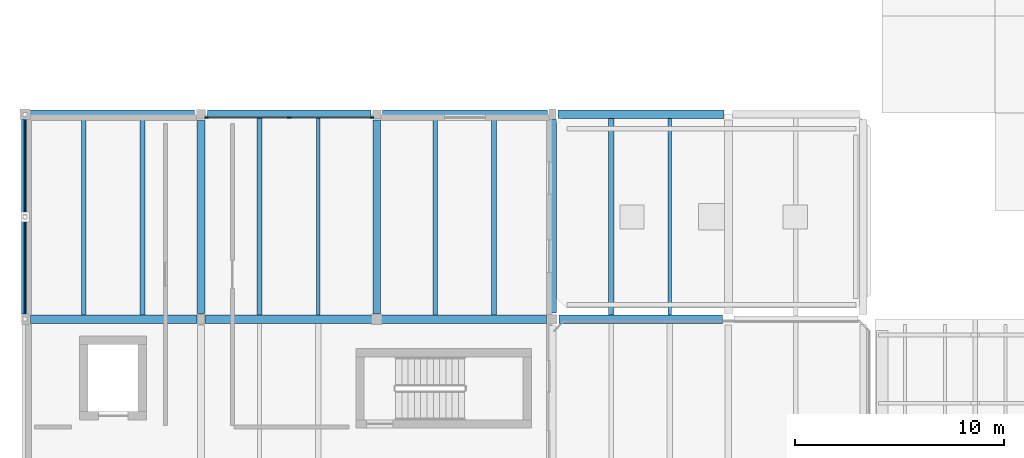
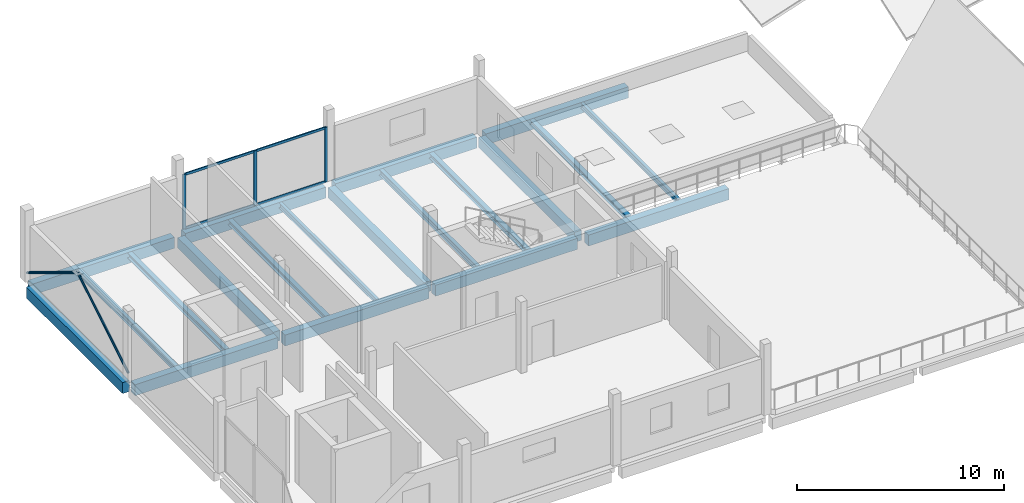
# One storey, part 4 of 35: 20 beams, 9 members, 1 element without a shape of its own.
"""IFC4 building model written with IfcOpenShell, lengths in metres."""

from ifc_helpers import new_model, si_unit, direction, frame, origin, origin_2d, place, context, subcontext, project, spatial, rectangle, hollow_circle, i_section, extrude, material, layer, layer_set, material_profile, profile_set, type_object, element, aggregate, save


model = new_model("IFC4")

# Units and contexts
model_context = context("Model", 3, precision=1e-05, world=origin(), true_north=direction((0.0, 1.0)))
body_context = subcontext(model_context, "Body", "Model", "MODEL_VIEW")
ifc_project = project(units=[si_unit("LENGTHUNIT", "METRE"), si_unit("AREAUNIT", "SQUARE_METRE"), si_unit("VOLUMEUNIT", "CUBIC_METRE"), si_unit("PLANEANGLEUNIT", "RADIAN"), si_unit("MASSUNIT", "GRAM", prefix="KILO")], contexts=[model_context])

# Site, building, storey
site_placement = place(None, origin())
site = spatial("IfcSite", under=ifc_project, at=site_placement, CompositionType="ELEMENT")
building_placement = place(site_placement, origin())
building = spatial("IfcBuilding", under=site, at=building_placement, Name="Birchvale Park Specialist Clinic", CompositionType="ELEMENT")
storey_placement = place(building_placement, frame((0.0, 0.0, 13.800048828125)))
storey = spatial("IfcBuildingStorey", under=building, at=storey_placement, Name="L03", CompositionType="ELEMENT", Elevation=13.800048828125)

# Beams
ifc_material_1 = material(Name="Concrete C40/50", Category="concrete")
ifc_material_profile_1 = material_profile(ifc_material_1, rectangle(XDim=0.3798828125, YDim=0.639892578125, at=origin_2d()), Name="RCB-380x640")
ifc_profile_set_1 = profile_set([ifc_material_profile_1], Name="Concrete C40/50")
beam_type_1 = type_object("IfcBeamType", Name="BM-EXT-BG5", PredefinedType="BEAM", material=ifc_profile_set_1)
beam_1_placement = place(storey_placement, frame((11.199951171875, 34.85009765625, -0.60009765625), z_axis=(0.0, 1.0, 0.0), x_axis=(-1.0, 0.0, 0.0)))
element("IfcBeam", 1, at=beam_1_placement, inside=storey, type_object=beam_type_1, Name="V2 L03 Y girder 23", PredefinedType="BEAM", context=body_context, shape_type="SweptSolid", body=[
    extrude(rectangle(XDim=0.3798828125, YDim=0.639892578125, at=origin_2d()), origin(), (0.0, 0.0, 1.0), 9.2998046875),
])
ifc_material_profile_2 = material_profile(ifc_material_1, rectangle(XDim=0.39990234375, YDim=0.64990234375, at=origin_2d()), Name="RCB-400x650")
ifc_profile_set_2 = profile_set([ifc_material_profile_2], Name="Concrete C40/50")
beam_type_2 = type_object("IfcBeamType", Name="BM-INT-BG4", PredefinedType="BEAM", material=ifc_profile_set_2)
beam_2_placement = place(storey_placement, frame((11.449951171875, 34.60009765625, -0.60498046875), z_axis=(1.0, 0.0, 0.0), x_axis=(0.0, 1.0, 0.0)))
element("IfcBeam", 2, at=beam_2_placement, inside=storey, type_object=beam_type_2, Name="V2 L03 X girder 11", PredefinedType="BEAM", context=body_context, shape_type="SweptSolid", body=[
    extrude(rectangle(XDim=0.39990234375, YDim=0.64990234375, at=origin_2d()), origin(), (0.0, 0.0, 1.0), 7.949951171875),
])
beam_3_placement = place(storey_placement, frame((19.800048828125, 34.60009765625, -0.60498046875), z_axis=(1.0, 0.0, 0.0), x_axis=(0.0, 1.0, 0.0)))
element("IfcBeam", 3, at=beam_3_placement, inside=storey, type_object=beam_type_2, Name="V2 L03 X girder 12", PredefinedType="BEAM", context=body_context, shape_type="SweptSolid", body=[
    extrude(rectangle(XDim=0.39990234375, YDim=0.64990234375, at=origin_2d()), origin(), (0.0, 0.0, 1.0), 8.02490234375),
])
beam_4_placement = place(storey_placement, frame((28.175048828125, 34.60009765625, -0.60498046875), z_axis=(1.0, 0.0, 0.0), x_axis=(0.0, 1.0, 0.0)))
element("IfcBeam", 4, at=beam_4_placement, inside=storey, type_object=beam_type_2, Name="V2 L03 X girder 13", PredefinedType="BEAM", context=body_context, shape_type="SweptSolid", body=[
    extrude(rectangle(XDim=0.39990234375, YDim=0.64990234375, at=origin_2d()), origin(), (0.0, 0.0, 1.0), 7.925048828125),
])
beam_5_placement = place(storey_placement, frame((36.699951171875, 34.60009765625, -0.635009765625), z_axis=(1.0, 0.0, 0.0), x_axis=(0.0, 1.0, 0.0)))
element("IfcBeam", 5, at=beam_5_placement, inside=storey, type_object=beam_type_2, Name="V2 L03 X girder 14", PredefinedType="BEAM", context=body_context, shape_type="SweptSolid", body=[
    extrude(rectangle(XDim=0.39990234375, YDim=0.64990234375, at=origin_2d()), origin(), (0.0, 0.0, 1.0), 7.824951171875),
])
beam_6_placement = place(storey_placement, frame((11.375, 44.39990234375, -0.60498046875), z_axis=(1.0, 0.0, 0.0), x_axis=(0.0, 1.0, 0.0)))
element("IfcBeam", 6, at=beam_6_placement, inside=storey, type_object=beam_type_2, Name="V2 L03 X girder 16", PredefinedType="BEAM", context=body_context, shape_type="SweptSolid", body=[
    extrude(rectangle(XDim=0.39990234375, YDim=0.64990234375, at=origin_2d()), origin(), (0.0, 0.0, 1.0), 7.925048828125),
])
beam_7_placement = place(storey_placement, frame((19.89990234375, 44.39990234375, -0.60498046875), z_axis=(1.0, 0.0, 0.0), x_axis=(0.0, 1.0, 0.0)))
element("IfcBeam", 7, at=beam_7_placement, inside=storey, type_object=beam_type_2, Name="V2 L03 X girder 17", PredefinedType="BEAM", context=body_context, shape_type="SweptSolid", body=[
    extrude(rectangle(XDim=0.39990234375, YDim=0.64990234375, at=origin_2d()), origin(), (0.0, 0.0, 1.0), 7.8251953125),
])
beam_8_placement = place(storey_placement, frame((28.27490234375, 44.39990234375, -0.60498046875), z_axis=(1.0, 0.0, 0.0), x_axis=(0.0, 1.0, 0.0)))
element("IfcBeam", 8, at=beam_8_placement, inside=storey, type_object=beam_type_2, Name="V2 L03 X girder 18", PredefinedType="BEAM", context=body_context, shape_type="SweptSolid", body=[
    extrude(rectangle(XDim=0.39990234375, YDim=0.64990234375, at=origin_2d()), origin(), (0.0, 0.0, 1.0), 7.875),
])
beam_9_placement = place(storey_placement, frame((36.64990234375, 44.39990234375, -0.60009765625), z_axis=(1.0, 0.0, 0.0), x_axis=(0.0, 1.0, 0.0)))
element("IfcBeam", 9, at=beam_9_placement, inside=storey, type_object=beam_type_2, Name="V2 L03 X girder 19", PredefinedType="BEAM", context=body_context, shape_type="SweptSolid", body=[
    extrude(rectangle(XDim=0.39990234375, YDim=0.64990234375, at=origin_2d()), origin(), (0.0, 0.0, 1.0), 7.9501953125),
])
ifc_material_profile_3 = material_profile(ifc_material_1, rectangle(XDim=0.3798828125, YDim=0.60009765625, at=origin_2d()), Name="RCB-380x600")
ifc_profile_set_3 = profile_set([ifc_material_profile_3], Name="Concrete C40/50")
beam_type_3 = type_object("IfcBeamType", Name="BM-INT-BG5", PredefinedType="BEAM", material=ifc_profile_set_3)
beam_10_placement = place(storey_placement, frame((19.60009765625, 34.875, -0.580078125), z_axis=(0.0, 1.0, 0.0), x_axis=(-1.0, 0.0, 0.0)))
element("IfcBeam", 10, at=beam_10_placement, inside=storey, type_object=beam_type_3, Name="V2 L03 Y girder 26", PredefinedType="BEAM", context=body_context, shape_type="SweptSolid", body=[
    extrude(rectangle(XDim=0.3798828125, YDim=0.60009765625, at=origin_2d()), origin(), (0.0, 0.0, 1.0), 9.22509765625),
])
beam_11_placement = place(storey_placement, frame((28.0, 34.85009765625, -0.580078125), z_axis=(0.0, 1.0, 0.0), x_axis=(-1.0, 0.0, 0.0)))
element("IfcBeam", 11, at=beam_11_placement, inside=storey, type_object=beam_type_3, Name="V2 L03 Y girder 28", PredefinedType="BEAM", context=body_context, shape_type="SweptSolid", body=[
    extrude(rectangle(XDim=0.3798828125, YDim=0.60009765625, at=origin_2d()), origin(), (0.0, 0.0, 1.0), 9.27490234375),
])
beam_12_placement = place(storey_placement, frame((36.39990234375, 34.89990234375, -0.580078125), z_axis=(0.0, 1.0, 0.0), x_axis=(-1.0, 0.0, 0.0)))
element("IfcBeam", 12, at=beam_12_placement, inside=storey, type_object=beam_type_3, Name="V2 L03 Y girder 31", PredefinedType="BEAM", context=body_context, shape_type="SweptSolid", body=[
    extrude(rectangle(XDim=0.3798828125, YDim=0.60009765625, at=origin_2d()), origin(), (0.0, 0.0, 1.0), 9.25),
])

# Curtain wall, members
ifc_material_2 = material(Name="Thermally broken anodised aluminium", Category="aluminium")
ifc_layer = layer(ifc_material_2, 0.195068359375)
ifc_layer_set = layer_set([ifc_layer], Name="Thermally broken anodised aluminium")
curtain_wall_type = type_object("IfcCurtainWallType", Name="CW-U2", PredefinedType="USERDEFINED", material=ifc_layer_set)
curtain_wall_placement = place(storey_placement, origin())
curtain_wall = element("IfcCurtainWall", 13, at=curtain_wall_placement, inside=storey, type_object=curtain_wall_type, Name="V2 L03 glazed curtain wall 120", ObjectType="UNITISED", PredefinedType="USERDEFINED")
ifc_material_profile_4 = material_profile(ifc_material_2, rectangle(XDim=0.06494140625, YDim=0.179931640625, at=origin_2d()), Name="CWM-65x180")
ifc_profile_set_4 = profile_set([ifc_material_profile_4], Name="Thermally broken anodised aluminium")
member_type_1 = type_object("IfcMemberType", Name="CWM2", PredefinedType="MULLION", material=ifc_profile_set_4)
member_1_placement = place(storey_placement, frame((27.767578125, 44.2451171875, 0.0), z_axis=(0.0, 0.0, 1.0), x_axis=(0.0, -1.0, 0.0)))
member_1 = element("IfcMember", 14, at=member_1_placement, type_object=member_type_1, Name="CW mullion 1", PredefinedType="MULLION", context=body_context, shape_type="SweptSolid", body=[
    extrude(rectangle(XDim=0.06494140625, YDim=0.179931640625, at=origin_2d()), origin(), (0.0, 0.0, 1.0), 3.224853515625),
])
member_2_placement = place(storey_placement, frame((23.8125, 44.2451171875, 0.0), z_axis=(0.0, 0.0, 1.0), x_axis=(0.0, -1.0, 0.0)))
member_2 = element("IfcMember", 15, at=member_2_placement, type_object=member_type_1, Name="CW mullion 2", PredefinedType="MULLION", context=body_context, shape_type="SweptSolid", body=[
    extrude(rectangle(XDim=0.06494140625, YDim=0.179931640625, at=origin_2d()), origin(), (0.0, 0.0, 1.0), 3.224853515625),
])
member_3_placement = place(storey_placement, frame((19.857421875, 44.2451171875, 0.0), z_axis=(0.0, 0.0, 1.0), x_axis=(0.0, -1.0, 0.0)))
member_3 = element("IfcMember", 16, at=member_3_placement, type_object=member_type_1, Name="CW mullion 3", PredefinedType="MULLION", context=body_context, shape_type="SweptSolid", body=[
    extrude(rectangle(XDim=0.06494140625, YDim=0.179931640625, at=origin_2d()), origin(), (0.0, 0.0, 1.0), 3.224853515625),
])
ifc_material_profile_5 = material_profile(ifc_material_2, rectangle(XDim=0.06494140625, YDim=0.139892578125, at=origin_2d()), Name="CWT-65x140")
ifc_profile_set_5 = profile_set([ifc_material_profile_5], Name="Thermally broken anodised aluminium")
member_type_2 = type_object("IfcMemberType", Name="CWT2", PredefinedType="USERDEFINED", material=ifc_profile_set_5)
member_4_placement = place(storey_placement, frame((27.735107421875, 44.2451171875, 0.032470703125), z_axis=(-1.0, 0.0, 0.0), x_axis=(0.0, -1.0, 0.0)))
member_4 = element("IfcMember", 17, at=member_4_placement, type_object=member_type_2, Name="CW transom 1.1", ObjectType="TRANSOM", PredefinedType="USERDEFINED", context=body_context, shape_type="SweptSolid", body=[
    extrude(rectangle(XDim=0.06494140625, YDim=0.139892578125, at=origin_2d()), origin(), (0.0, 0.0, 1.0), 3.89013671875),
])
member_5_placement = place(storey_placement, frame((27.735107421875, 44.2451171875, 3.1923828125), z_axis=(-1.0, 0.0, 0.0), x_axis=(0.0, -1.0, 0.0)))
member_5 = element("IfcMember", 18, at=member_5_placement, type_object=member_type_2, Name="CW transom 1.2", ObjectType="TRANSOM", PredefinedType="USERDEFINED", context=body_context, shape_type="SweptSolid", body=[
    extrude(rectangle(XDim=0.06494140625, YDim=0.139892578125, at=origin_2d()), origin(), (0.0, 0.0, 1.0), 3.89013671875),
])
member_6_placement = place(storey_placement, frame((23.780029296875, 44.2451171875, 0.032470703125), z_axis=(-1.0, 0.0, 0.0), x_axis=(0.0, -1.0, 0.0)))
member_6 = element("IfcMember", 19, at=member_6_placement, type_object=member_type_2, Name="CW transom 2.1", ObjectType="TRANSOM", PredefinedType="USERDEFINED", context=body_context, shape_type="SweptSolid", body=[
    extrude(rectangle(XDim=0.06494140625, YDim=0.139892578125, at=origin_2d()), origin(), (0.0, 0.0, 1.0), 3.89013671875),
])
member_7_placement = place(storey_placement, frame((23.780029296875, 44.2451171875, 3.1923828125), z_axis=(-1.0, 0.0, 0.0), x_axis=(0.0, -1.0, 0.0)))
member_7 = element("IfcMember", 20, at=member_7_placement, type_object=member_type_2, Name="CW transom 2.2", ObjectType="TRANSOM", PredefinedType="USERDEFINED", context=body_context, shape_type="SweptSolid", body=[
    extrude(rectangle(XDim=0.06494140625, YDim=0.139892578125, at=origin_2d()), origin(), (0.0, 0.0, 1.0), 3.89013671875),
])
aggregate(curtain_wall, [member_1, member_2, member_3, member_4, member_5, member_6, member_7])

# Members
ifc_material_3 = material(Name="Steel EN 10210 S355", Category="steel")
ifc_material_profile_6 = material_profile(ifc_material_3, hollow_circle(Radius=0.06982421875, WallThickness=0.008056640625, at=origin_2d()), Name="CHS139.7X8")
ifc_profile_set_6 = profile_set([ifc_material_profile_6], Name="Steel EN 10210 S355")
member_type_3 = type_object("IfcMemberType", Name="MEM-BR5", PredefinedType="BRACE", material=ifc_profile_set_6)
for number, where, z_axis, x_axis, name in (
    (21, (11.199951171875, 34.62548828125, 0.365478515625), (0.0, 0.853612071838, 0.520909234715), (-1.0, 0.0, 0.0), "V2 L03 chevron steel brace 9.1"),
    (22, (11.199951171875, 44.37451171875, 0.365478515625), (0.0, -0.853612071838, 0.520909234715), (1.0, 0.0, 0.0), "V2 L03 chevron steel brace 9.2"),
):
    element("IfcMember", number, at=place(storey_placement, frame(where, z_axis=z_axis, x_axis=x_axis)), inside=storey, type_object=member_type_3, Name=name, PredefinedType="BRACE", context=body_context, shape_type="SweptSolid", body=[
        extrude(hollow_circle(Radius=0.06982421875, WallThickness=0.008056640625, at=origin_2d()), origin(), (0.0, 0.0, 1.0), 5.680419921875),
    ])

# Beams
ifc_material_4 = material(Name="Steel ASTM A992 Grade 50", Category="steel")
ifc_material_profile_7 = material_profile(ifc_material_4, i_section(OverallWidth=0.2041015625, OverallDepth=0.35107421875, WebThickness=0.008544921875, FlangeThickness=0.01513671875, at=origin_2d()), Name="W14X48")
ifc_profile_set_7 = profile_set([ifc_material_profile_7], Name="Steel ASTM A992 Grade 50")
beam_type_4 = type_object("IfcBeamType", Name="STL-INT-SJ1", PredefinedType="JOIST", material=ifc_profile_set_7)
for number, where, z_axis, x_axis, name in (
    (23, (14.0, 34.800048828125, -0.45556640625), (0.0, 1.0, 0.0), (-1.0, 0.0, 0.0), "V2 L03 secondary floor joist 1"),
    (24, (30.800048828125, 34.800048828125, -0.45556640625), (0.0, 1.0, 0.0), (-1.0, 0.0, 0.0), "V2 L03 secondary floor joist 11"),
):
    element("IfcBeam", number, at=place(storey_placement, frame(where, z_axis=z_axis, x_axis=x_axis)), inside=storey, type_object=beam_type_4, Name=name, PredefinedType="JOIST", context=body_context, shape_type="SweptSolid", body=[
        extrude(i_section(OverallWidth=0.2041015625, OverallDepth=0.35107421875, WebThickness=0.008544921875, FlangeThickness=0.01513671875, at=origin_2d()), origin(), (0.0, 0.0, 1.0), 9.39990234375),
    ])
ifc_material_profile_8 = material_profile(ifc_material_4, i_section(OverallWidth=0.25390625, OverallDepth=0.305908203125, WebThickness=0.0087890625, FlangeThickness=0.0146484375, at=origin_2d()), Name="W12X53")
ifc_profile_set_8 = profile_set([ifc_material_profile_8], Name="Steel ASTM A992 Grade 50")
beam_type_5 = type_object("IfcBeamType", Name="STL-INT-SJ2", PredefinedType="JOIST", material=ifc_profile_set_8)
for number, where, z_axis, x_axis, name in (
    (25, (16.800048828125, 34.800048828125, -0.43310546875), (0.0, 1.0, 0.0), (-1.0, 0.0, 0.0), "V2 L03 secondary floor joist 2"),
    (26, (22.39990234375, 34.800048828125, -0.43310546875), (0.0, 1.0, 0.0), (-1.0, 0.0, 0.0), "V2 L03 secondary floor joist 7"),
    (27, (33.60009765625, 34.800048828125, -0.43310546875), (0.0, 1.0, 0.0), (-1.0, 0.0, 0.0), "V2 L03 secondary floor joist 12"),
    (28, (39.199951171875, 34.800048828125, -0.427978515625), (0.0, 1.0, 0.0), (-1.0, 0.0, 0.0), "V2 L03 secondary floor joist 17"),
):
    element("IfcBeam", number, at=place(storey_placement, frame(where, z_axis=z_axis, x_axis=x_axis)), inside=storey, type_object=beam_type_5, Name=name, PredefinedType="JOIST", context=body_context, shape_type="SweptSolid", body=[
        extrude(i_section(OverallWidth=0.25390625, OverallDepth=0.305908203125, WebThickness=0.0087890625, FlangeThickness=0.0146484375, at=origin_2d()), origin(), (0.0, 0.0, 1.0), 9.39990234375),
    ])
ifc_material_profile_9 = material_profile(ifc_material_4, i_section(OverallWidth=0.1669921875, OverallDepth=0.31689453125, WebThickness=0.007568359375, FlangeThickness=0.01318359375, at=origin_2d()), Name="W12X35")
ifc_profile_set_9 = profile_set([ifc_material_profile_9], Name="Steel ASTM A992 Grade 50")
beam_type_6 = type_object("IfcBeamType", Name="STL-INT-SJ3", PredefinedType="JOIST", material=ifc_profile_set_9)
for number, where, z_axis, x_axis, name in (
    (29, (25.199951171875, 34.800048828125, -0.4384765625), (0.0, 1.0, 0.0), (-1.0, 0.0, 0.0), "V2 L03 secondary floor joist 8"),
    (30, (42.0, 34.800048828125, -0.43359375), (0.0, 1.0, 0.0), (-1.0, 0.0, 0.0), "V2 L03 secondary floor joist 18"),
):
    element("IfcBeam", number, at=place(storey_placement, frame(where, z_axis=z_axis, x_axis=x_axis)), inside=storey, type_object=beam_type_6, Name=name, PredefinedType="JOIST", context=body_context, shape_type="SweptSolid", body=[
        extrude(i_section(OverallWidth=0.1669921875, OverallDepth=0.31689453125, WebThickness=0.007568359375, FlangeThickness=0.01318359375, at=origin_2d()), origin(), (0.0, 0.0, 1.0), 9.39990234375),
    ])

save(model, "model.ifc")
